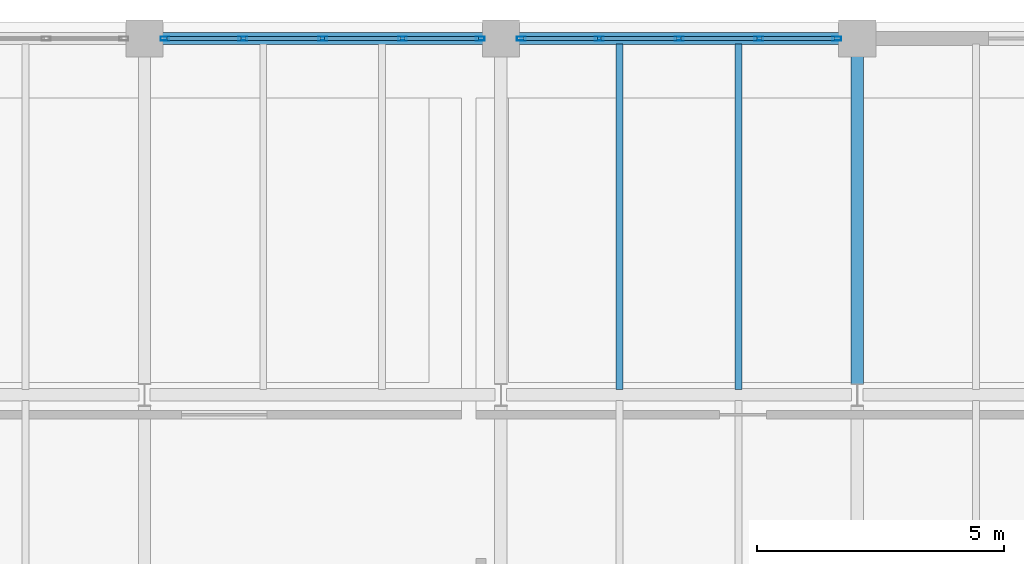
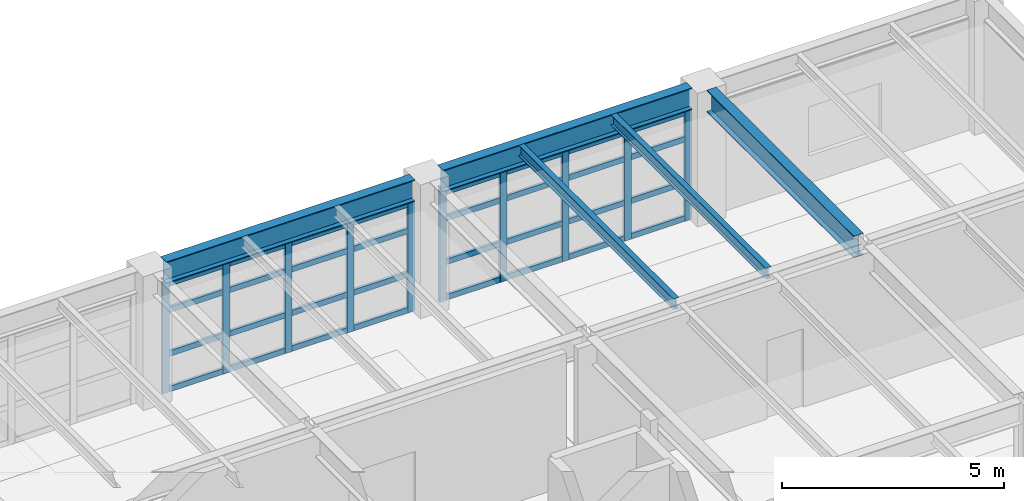
# One storey, part 11 of 24: 42 members, 5 beams, 2 elements without a shape of their own.
"""IFC4 building model written with IfcOpenShell, lengths in metres."""

from ifc_helpers import new_model, si_unit, direction, frame, origin, origin_2d, place, context, subcontext, project, spatial, hollow_rectangle, i_section, extrude, material, layer, layer_set, material_profile, profile_set, type_object, element, aggregate, save


model = new_model("IFC4")

# Units and contexts
model_context = context("Model", 3, precision=1e-05, world=origin(), true_north=direction((0.0, 1.0)))
body_context = subcontext(model_context, "Body", "Model", "MODEL_VIEW")
ifc_project = project(units=[si_unit("LENGTHUNIT", "METRE"), si_unit("AREAUNIT", "SQUARE_METRE"), si_unit("VOLUMEUNIT", "CUBIC_METRE"), si_unit("PLANEANGLEUNIT", "RADIAN"), si_unit("MASSUNIT", "GRAM", prefix="KILO")], contexts=[model_context])

# Site, building, storey
site_placement = place(None, origin())
site = spatial("IfcSite", under=ifc_project, at=site_placement, CompositionType="ELEMENT")
building_placement = place(site_placement, origin())
building = spatial("IfcBuilding", under=site, at=building_placement, Name="Kandorven Conservatory and Botanical Research Centre", CompositionType="ELEMENT")
storey_placement = place(building_placement, frame((0.0, 0.0, 21.0)))
storey = spatial("IfcBuildingStorey", under=building, at=storey_placement, Name="L05", CompositionType="ELEMENT", Elevation=21.0)

# Beams
ifc_material_1 = material(Name="Steel S355 (IS 2062 E350)", Category="steel")
ifc_material_profile_1 = material_profile(ifc_material_1, i_section(OverallWidth=0.25, OverallDepth=0.60009765625, WebThickness=0.01171875, FlangeThickness=0.023681640625, at=origin_2d()))
ifc_profile_set_1 = profile_set([ifc_material_profile_1], Name="Steel S355 (IS 2062 E350)")
beam_type_1 = type_object("IfcBeamType", Name="Beam_FG-01", PredefinedType="USERDEFINED", material=ifc_profile_set_1)
beam_1_placement = place(storey_placement, frame((20.764892578125, 34.800048828125, 3.3701171875), z_axis=(1.0, 0.0, 0.0), x_axis=(0.0, 1.0, 0.0)))
element("IfcBeam", 1, at=beam_1_placement, inside=storey, type_object=beam_type_1, Name="Primary girder FG-01 TWR L05", ObjectType="GIRDER", PredefinedType="USERDEFINED", context=body_context, shape_type="SweptSolid", body=[
    extrude(i_section(OverallWidth=0.25, OverallDepth=0.60009765625, WebThickness=0.01171875, FlangeThickness=0.023681640625, at=origin_2d()), origin(), (0.0, 0.0, 1.0), 6.47021484375),
])
beam_2_placement = place(storey_placement, frame((27.965087890625, 34.800048828125, 3.3701171875), z_axis=(1.0, 0.0, 0.0), x_axis=(0.0, 1.0, 0.0)))
element("IfcBeam", 2, at=beam_2_placement, inside=storey, type_object=beam_type_1, Name="Primary girder FG-01 TWR L05", ObjectType="GIRDER", PredefinedType="USERDEFINED", context=body_context, shape_type="SweptSolid", body=[
    extrude(i_section(OverallWidth=0.25, OverallDepth=0.60009765625, WebThickness=0.01171875, FlangeThickness=0.023681640625, at=origin_2d()), origin(), (0.0, 0.0, 1.0), 6.469970703125),
])
beam_3_placement = place(storey_placement, frame((34.800048828125, 27.81494140625, 3.3701171875), z_axis=(0.0, 1.0, 0.0), x_axis=(-1.0, 0.0, 0.0)))
element("IfcBeam", 3, at=beam_3_placement, inside=storey, type_object=beam_type_1, Name="Primary girder FG-01 TWR L05", ObjectType="GIRDER", PredefinedType="USERDEFINED", context=body_context, shape_type="SweptSolid", body=[
    extrude(i_section(OverallWidth=0.25, OverallDepth=0.60009765625, WebThickness=0.01171875, FlangeThickness=0.023681640625, at=origin_2d()), origin(), (0.0, 0.0, 1.0), 6.6201171875),
])
ifc_material_2 = material(Name="Steel S355 (IS 2062 E350)", Category="steel")
ifc_material_profile_2 = material_profile(ifc_material_2, i_section(OverallWidth=0.139892578125, OverallDepth=0.300048828125, WebThickness=0.0078125, FlangeThickness=0.01318359375, at=origin_2d()))
ifc_profile_set_2 = profile_set([ifc_material_profile_2], Name="Steel S355 (IS 2062 E350)")
beam_type_2 = type_object("IfcBeamType", Name="Beam_SB-07", PredefinedType="BEAM", material=ifc_profile_set_2)
for number, where, z_axis, x_axis, name in (
    (4, (30.0, 27.7099609375, 3.52001953125), (0.0, 1.0, 0.0), (-1.0, 0.0, 0.0), "Composite secondary beam SB-07 TWR L05"),
    (5, (32.39990234375, 27.7099609375, 3.52001953125), (0.0, 1.0, 0.0), (-1.0, 0.0, 0.0), "Composite secondary beam SB-07 TWR L05"),
):
    element("IfcBeam", number, at=place(storey_placement, frame(where, z_axis=z_axis, x_axis=x_axis)), inside=storey, type_object=beam_type_2, Name=name, PredefinedType="BEAM", context=body_context, shape_type="SweptSolid", body=[
        extrude(i_section(OverallWidth=0.139892578125, OverallDepth=0.300048828125, WebThickness=0.0078125, FlangeThickness=0.01318359375, at=origin_2d()), origin(), (0.0, 0.0, 1.0), 6.97998046875),
    ])

# Curtain wall, members
ifc_material_3 = material(Name="Bronze anodised thermally broken aluminium", Category="aluminium")
ifc_layer = layer(ifc_material_3, 0.179931640625)
ifc_layer_set = layer_set([ifc_layer], Name="Bronze anodised thermally broken aluminium")
curtain_wall_type = type_object("IfcCurtainWallType", Name="CW_Unitised", PredefinedType="USERDEFINED", material=ifc_layer_set)
curtain_wall_1_placement = place(storey_placement, origin())
curtain_wall_1 = element("IfcCurtainWall", 6, at=curtain_wall_1_placement, inside=storey, type_object=curtain_wall_type, Name="Tower laboratory curtain wall CW-TWR-N-L05-3", ObjectType="UNITISED GLAZING", PredefinedType="USERDEFINED")
ifc_material_4 = material(Name="Bronze anodised thermally broken aluminium", Category="aluminium")
ifc_material_profile_3 = material_profile(ifc_material_4, hollow_rectangle(XDim=0.080078125, YDim=0.179931640625, WallThickness=0.006103515625, at=origin_2d()))
ifc_profile_set_3 = profile_set([ifc_material_profile_3], Name="Bronze anodised thermally broken aluminium")
member_type_1 = type_object("IfcMemberType", Name="CW_Mullion", PredefinedType="MULLION", material=ifc_profile_set_3)
member_1_placement = place(storey_placement, frame((20.81494140625, 34.800048828125, 0.0), z_axis=(0.0, 0.0, 1.0), x_axis=(0.0, 1.0, 0.0)))
member_1 = element("IfcMember", 7, at=member_1_placement, type_object=member_type_1, Name="CW-01 mullion 1", PredefinedType="MULLION", context=body_context, shape_type="SweptSolid", body=[
    extrude(hollow_rectangle(XDim=0.080078125, YDim=0.179931640625, WallThickness=0.006103515625, at=origin_2d()), origin(), (0.0, 0.0, 1.0), 3.050048828125),
])
member_2_placement = place(storey_placement, frame((22.387451171875, 34.800048828125, 0.0), z_axis=(0.0, 0.0, 1.0), x_axis=(0.0, 1.0, 0.0)))
member_2 = element("IfcMember", 8, at=member_2_placement, type_object=member_type_1, Name="CW-01 mullion 2", PredefinedType="MULLION", context=body_context, shape_type="SweptSolid", body=[
    extrude(hollow_rectangle(XDim=0.080078125, YDim=0.179931640625, WallThickness=0.006103515625, at=origin_2d()), origin(), (0.0, 0.0, 1.0), 3.050048828125),
])
member_3_placement = place(storey_placement, frame((24.0, 34.800048828125, 0.0), z_axis=(0.0, 0.0, 1.0), x_axis=(0.0, 1.0, 0.0)))
member_3 = element("IfcMember", 9, at=member_3_placement, type_object=member_type_1, Name="CW-01 mullion 3", PredefinedType="MULLION", context=body_context, shape_type="SweptSolid", body=[
    extrude(hollow_rectangle(XDim=0.080078125, YDim=0.179931640625, WallThickness=0.006103515625, at=origin_2d()), origin(), (0.0, 0.0, 1.0), 3.050048828125),
])
member_4_placement = place(storey_placement, frame((25.612548828125, 34.800048828125, 0.0), z_axis=(0.0, 0.0, 1.0), x_axis=(0.0, 1.0, 0.0)))
member_4 = element("IfcMember", 10, at=member_4_placement, type_object=member_type_1, Name="CW-01 mullion 4", PredefinedType="MULLION", context=body_context, shape_type="SweptSolid", body=[
    extrude(hollow_rectangle(XDim=0.080078125, YDim=0.179931640625, WallThickness=0.006103515625, at=origin_2d()), origin(), (0.0, 0.0, 1.0), 3.050048828125),
])
member_5_placement = place(storey_placement, frame((27.18505859375, 34.800048828125, 0.0), z_axis=(0.0, 0.0, 1.0), x_axis=(0.0, 1.0, 0.0)))
member_5 = element("IfcMember", 11, at=member_5_placement, type_object=member_type_1, Name="CW-01 mullion 5", PredefinedType="MULLION", context=body_context, shape_type="SweptSolid", body=[
    extrude(hollow_rectangle(XDim=0.080078125, YDim=0.179931640625, WallThickness=0.006103515625, at=origin_2d()), origin(), (0.0, 0.0, 1.0), 3.050048828125),
])

curtain_wall_2_placement = place(storey_placement, origin())
curtain_wall_2 = element("IfcCurtainWall", 12, at=curtain_wall_2_placement, inside=storey, type_object=curtain_wall_type, Name="Tower laboratory curtain wall CW-TWR-N-L05-4", ObjectType="UNITISED GLAZING", PredefinedType="USERDEFINED")
member_6_placement = place(storey_placement, frame((28.014892578125, 34.800048828125, 0.0), z_axis=(0.0, 0.0, 1.0), x_axis=(0.0, 1.0, 0.0)))
member_6 = element("IfcMember", 13, at=member_6_placement, type_object=member_type_1, Name="CW-01 mullion 1", PredefinedType="MULLION", context=body_context, shape_type="SweptSolid", body=[
    extrude(hollow_rectangle(XDim=0.080078125, YDim=0.179931640625, WallThickness=0.006103515625, at=origin_2d()), origin(), (0.0, 0.0, 1.0), 3.050048828125),
])
member_7_placement = place(storey_placement, frame((29.58740234375, 34.800048828125, 0.0), z_axis=(0.0, 0.0, 1.0), x_axis=(0.0, 1.0, 0.0)))
member_7 = element("IfcMember", 14, at=member_7_placement, type_object=member_type_1, Name="CW-01 mullion 2", PredefinedType="MULLION", context=body_context, shape_type="SweptSolid", body=[
    extrude(hollow_rectangle(XDim=0.080078125, YDim=0.179931640625, WallThickness=0.006103515625, at=origin_2d()), origin(), (0.0, 0.0, 1.0), 3.050048828125),
])
member_8_placement = place(storey_placement, frame((31.199951171875, 34.800048828125, 0.0), z_axis=(0.0, 0.0, 1.0), x_axis=(0.0, 1.0, 0.0)))
member_8 = element("IfcMember", 15, at=member_8_placement, type_object=member_type_1, Name="CW-01 mullion 3", PredefinedType="MULLION", context=body_context, shape_type="SweptSolid", body=[
    extrude(hollow_rectangle(XDim=0.080078125, YDim=0.179931640625, WallThickness=0.006103515625, at=origin_2d()), origin(), (0.0, 0.0, 1.0), 3.050048828125),
])
member_9_placement = place(storey_placement, frame((32.8125, 34.800048828125, 0.0), z_axis=(0.0, 0.0, 1.0), x_axis=(0.0, 1.0, 0.0)))
member_9 = element("IfcMember", 16, at=member_9_placement, type_object=member_type_1, Name="CW-01 mullion 4", PredefinedType="MULLION", context=body_context, shape_type="SweptSolid", body=[
    extrude(hollow_rectangle(XDim=0.080078125, YDim=0.179931640625, WallThickness=0.006103515625, at=origin_2d()), origin(), (0.0, 0.0, 1.0), 3.050048828125),
])
member_10_placement = place(storey_placement, frame((34.385009765625, 34.800048828125, 0.0), z_axis=(0.0, 0.0, 1.0), x_axis=(0.0, 1.0, 0.0)))
member_10 = element("IfcMember", 17, at=member_10_placement, type_object=member_type_1, Name="CW-01 mullion 5", PredefinedType="MULLION", context=body_context, shape_type="SweptSolid", body=[
    extrude(hollow_rectangle(XDim=0.080078125, YDim=0.179931640625, WallThickness=0.006103515625, at=origin_2d()), origin(), (0.0, 0.0, 1.0), 3.050048828125),
])

# Member
ifc_material_5 = material(Name="Bronze anodised thermally broken aluminium", Category="aluminium")
ifc_material_profile_4 = material_profile(ifc_material_5, hollow_rectangle(XDim=0.074951171875, YDim=0.14990234375, WallThickness=0.006103515625, at=origin_2d()))
ifc_profile_set_4 = profile_set([ifc_material_profile_4], Name="Bronze anodised thermally broken aluminium")
member_type_2 = type_object("IfcMemberType", Name="CW_Transom", PredefinedType="USERDEFINED", material=ifc_profile_set_4)
member_11_placement = place(storey_placement, frame((20.85498046875, 34.800048828125, 0.074951171875), z_axis=(1.0, 0.0, 0.0), x_axis=(0.0, 1.0, 0.0)))
member_11 = element("IfcMember", 18, at=member_11_placement, type_object=member_type_2, Name="CW-01 transom 1.1", ObjectType="TRANSOM", PredefinedType="USERDEFINED", context=body_context, shape_type="SweptSolid", body=[
    extrude(hollow_rectangle(XDim=0.074951171875, YDim=0.14990234375, WallThickness=0.006103515625, at=origin_2d()), origin(), (0.0, 0.0, 1.0), 1.492431640625),
])

member_12_placement = place(storey_placement, frame((20.85498046875, 34.800048828125, 1.050048828125), z_axis=(1.0, 0.0, 0.0), x_axis=(0.0, 1.0, 0.0)))
member_12 = element("IfcMember", 19, at=member_12_placement, type_object=member_type_2, Name="CW-01 transom 1.2", ObjectType="TRANSOM", PredefinedType="USERDEFINED", context=body_context, shape_type="SweptSolid", body=[
    extrude(hollow_rectangle(XDim=0.074951171875, YDim=0.14990234375, WallThickness=0.006103515625, at=origin_2d()), origin(), (0.0, 0.0, 1.0), 1.492431640625),
])

member_13_placement = place(storey_placement, frame((20.85498046875, 34.800048828125, 2.25), z_axis=(1.0, 0.0, 0.0), x_axis=(0.0, 1.0, 0.0)))
member_13 = element("IfcMember", 20, at=member_13_placement, type_object=member_type_2, Name="CW-01 transom 1.3", ObjectType="TRANSOM", PredefinedType="USERDEFINED", context=body_context, shape_type="SweptSolid", body=[
    extrude(hollow_rectangle(XDim=0.074951171875, YDim=0.14990234375, WallThickness=0.006103515625, at=origin_2d()), origin(), (0.0, 0.0, 1.0), 1.492431640625),
])

member_14_placement = place(storey_placement, frame((20.85498046875, 34.800048828125, 2.97509765625), z_axis=(1.0, 0.0, 0.0), x_axis=(0.0, 1.0, 0.0)))
member_14 = element("IfcMember", 21, at=member_14_placement, type_object=member_type_2, Name="CW-01 transom 1.4", ObjectType="TRANSOM", PredefinedType="USERDEFINED", context=body_context, shape_type="SweptSolid", body=[
    extrude(hollow_rectangle(XDim=0.074951171875, YDim=0.14990234375, WallThickness=0.006103515625, at=origin_2d()), origin(), (0.0, 0.0, 1.0), 1.492431640625),
])

member_15_placement = place(storey_placement, frame((22.427490234375, 34.800048828125, 0.074951171875), z_axis=(1.0, 0.0, 0.0), x_axis=(0.0, 1.0, 0.0)))
member_15 = element("IfcMember", 22, at=member_15_placement, type_object=member_type_2, Name="CW-01 transom 2.1", ObjectType="TRANSOM", PredefinedType="USERDEFINED", context=body_context, shape_type="SweptSolid", body=[
    extrude(hollow_rectangle(XDim=0.074951171875, YDim=0.14990234375, WallThickness=0.006103515625, at=origin_2d()), origin(), (0.0, 0.0, 1.0), 1.532470703125),
])

member_16_placement = place(storey_placement, frame((22.427490234375, 34.800048828125, 1.050048828125), z_axis=(1.0, 0.0, 0.0), x_axis=(0.0, 1.0, 0.0)))
member_16 = element("IfcMember", 23, at=member_16_placement, type_object=member_type_2, Name="CW-01 transom 2.2", ObjectType="TRANSOM", PredefinedType="USERDEFINED", context=body_context, shape_type="SweptSolid", body=[
    extrude(hollow_rectangle(XDim=0.074951171875, YDim=0.14990234375, WallThickness=0.006103515625, at=origin_2d()), origin(), (0.0, 0.0, 1.0), 1.532470703125),
])

member_17_placement = place(storey_placement, frame((22.427490234375, 34.800048828125, 2.25), z_axis=(1.0, 0.0, 0.0), x_axis=(0.0, 1.0, 0.0)))
member_17 = element("IfcMember", 24, at=member_17_placement, type_object=member_type_2, Name="CW-01 transom 2.3", ObjectType="TRANSOM", PredefinedType="USERDEFINED", context=body_context, shape_type="SweptSolid", body=[
    extrude(hollow_rectangle(XDim=0.074951171875, YDim=0.14990234375, WallThickness=0.006103515625, at=origin_2d()), origin(), (0.0, 0.0, 1.0), 1.532470703125),
])

member_18_placement = place(storey_placement, frame((22.427490234375, 34.800048828125, 2.97509765625), z_axis=(1.0, 0.0, 0.0), x_axis=(0.0, 1.0, 0.0)))
member_18 = element("IfcMember", 25, at=member_18_placement, type_object=member_type_2, Name="CW-01 transom 2.4", ObjectType="TRANSOM", PredefinedType="USERDEFINED", context=body_context, shape_type="SweptSolid", body=[
    extrude(hollow_rectangle(XDim=0.074951171875, YDim=0.14990234375, WallThickness=0.006103515625, at=origin_2d()), origin(), (0.0, 0.0, 1.0), 1.532470703125),
])

member_19_placement = place(storey_placement, frame((24.0400390625, 34.800048828125, 0.074951171875), z_axis=(1.0, 0.0, 0.0), x_axis=(0.0, 1.0, 0.0)))
member_19 = element("IfcMember", 26, at=member_19_placement, type_object=member_type_2, Name="CW-01 transom 3.1", ObjectType="TRANSOM", PredefinedType="USERDEFINED", context=body_context, shape_type="SweptSolid", body=[
    extrude(hollow_rectangle(XDim=0.074951171875, YDim=0.14990234375, WallThickness=0.006103515625, at=origin_2d()), origin(), (0.0, 0.0, 1.0), 1.532470703125),
])

member_20_placement = place(storey_placement, frame((24.0400390625, 34.800048828125, 1.050048828125), z_axis=(1.0, 0.0, 0.0), x_axis=(0.0, 1.0, 0.0)))
member_20 = element("IfcMember", 27, at=member_20_placement, type_object=member_type_2, Name="CW-01 transom 3.2", ObjectType="TRANSOM", PredefinedType="USERDEFINED", context=body_context, shape_type="SweptSolid", body=[
    extrude(hollow_rectangle(XDim=0.074951171875, YDim=0.14990234375, WallThickness=0.006103515625, at=origin_2d()), origin(), (0.0, 0.0, 1.0), 1.532470703125),
])

member_21_placement = place(storey_placement, frame((24.0400390625, 34.800048828125, 2.25), z_axis=(1.0, 0.0, 0.0), x_axis=(0.0, 1.0, 0.0)))
member_21 = element("IfcMember", 28, at=member_21_placement, type_object=member_type_2, Name="CW-01 transom 3.3", ObjectType="TRANSOM", PredefinedType="USERDEFINED", context=body_context, shape_type="SweptSolid", body=[
    extrude(hollow_rectangle(XDim=0.074951171875, YDim=0.14990234375, WallThickness=0.006103515625, at=origin_2d()), origin(), (0.0, 0.0, 1.0), 1.532470703125),
])

member_22_placement = place(storey_placement, frame((24.0400390625, 34.800048828125, 2.97509765625), z_axis=(1.0, 0.0, 0.0), x_axis=(0.0, 1.0, 0.0)))
member_22 = element("IfcMember", 29, at=member_22_placement, type_object=member_type_2, Name="CW-01 transom 3.4", ObjectType="TRANSOM", PredefinedType="USERDEFINED", context=body_context, shape_type="SweptSolid", body=[
    extrude(hollow_rectangle(XDim=0.074951171875, YDim=0.14990234375, WallThickness=0.006103515625, at=origin_2d()), origin(), (0.0, 0.0, 1.0), 1.532470703125),
])

member_23_placement = place(storey_placement, frame((25.652587890625, 34.800048828125, 0.074951171875), z_axis=(1.0, 0.0, 0.0), x_axis=(0.0, 1.0, 0.0)))
member_23 = element("IfcMember", 30, at=member_23_placement, type_object=member_type_2, Name="CW-01 transom 4.1", ObjectType="TRANSOM", PredefinedType="USERDEFINED", context=body_context, shape_type="SweptSolid", body=[
    extrude(hollow_rectangle(XDim=0.074951171875, YDim=0.14990234375, WallThickness=0.006103515625, at=origin_2d()), origin(), (0.0, 0.0, 1.0), 1.492431640625),
])

member_24_placement = place(storey_placement, frame((25.652587890625, 34.800048828125, 1.050048828125), z_axis=(1.0, 0.0, 0.0), x_axis=(0.0, 1.0, 0.0)))
member_24 = element("IfcMember", 31, at=member_24_placement, type_object=member_type_2, Name="CW-01 transom 4.2", ObjectType="TRANSOM", PredefinedType="USERDEFINED", context=body_context, shape_type="SweptSolid", body=[
    extrude(hollow_rectangle(XDim=0.074951171875, YDim=0.14990234375, WallThickness=0.006103515625, at=origin_2d()), origin(), (0.0, 0.0, 1.0), 1.492431640625),
])

member_25_placement = place(storey_placement, frame((25.652587890625, 34.800048828125, 2.25), z_axis=(1.0, 0.0, 0.0), x_axis=(0.0, 1.0, 0.0)))
member_25 = element("IfcMember", 32, at=member_25_placement, type_object=member_type_2, Name="CW-01 transom 4.3", ObjectType="TRANSOM", PredefinedType="USERDEFINED", context=body_context, shape_type="SweptSolid", body=[
    extrude(hollow_rectangle(XDim=0.074951171875, YDim=0.14990234375, WallThickness=0.006103515625, at=origin_2d()), origin(), (0.0, 0.0, 1.0), 1.492431640625),
])

member_26_placement = place(storey_placement, frame((25.652587890625, 34.800048828125, 2.97509765625), z_axis=(1.0, 0.0, 0.0), x_axis=(0.0, 1.0, 0.0)))
member_26 = element("IfcMember", 33, at=member_26_placement, type_object=member_type_2, Name="CW-01 transom 4.4", ObjectType="TRANSOM", PredefinedType="USERDEFINED", context=body_context, shape_type="SweptSolid", body=[
    extrude(hollow_rectangle(XDim=0.074951171875, YDim=0.14990234375, WallThickness=0.006103515625, at=origin_2d()), origin(), (0.0, 0.0, 1.0), 1.492431640625),
])

aggregate(curtain_wall_1, [member_1, member_2, member_3, member_4, member_5, member_11, member_12, member_13, member_14, member_15, member_16, member_17, member_18, member_19, member_20, member_21, member_22, member_23, member_24, member_25, member_26])

member_27_placement = place(storey_placement, frame((28.054931640625, 34.800048828125, 0.074951171875), z_axis=(1.0, 0.0, 0.0), x_axis=(0.0, 1.0, 0.0)))
member_27 = element("IfcMember", 34, at=member_27_placement, type_object=member_type_2, Name="CW-01 transom 1.1", ObjectType="TRANSOM", PredefinedType="USERDEFINED", context=body_context, shape_type="SweptSolid", body=[
    extrude(hollow_rectangle(XDim=0.074951171875, YDim=0.14990234375, WallThickness=0.006103515625, at=origin_2d()), origin(), (0.0, 0.0, 1.0), 1.49267578125),
])

member_28_placement = place(storey_placement, frame((28.054931640625, 34.800048828125, 1.050048828125), z_axis=(1.0, 0.0, 0.0), x_axis=(0.0, 1.0, 0.0)))
member_28 = element("IfcMember", 35, at=member_28_placement, type_object=member_type_2, Name="CW-01 transom 1.2", ObjectType="TRANSOM", PredefinedType="USERDEFINED", context=body_context, shape_type="SweptSolid", body=[
    extrude(hollow_rectangle(XDim=0.074951171875, YDim=0.14990234375, WallThickness=0.006103515625, at=origin_2d()), origin(), (0.0, 0.0, 1.0), 1.49267578125),
])

member_29_placement = place(storey_placement, frame((28.054931640625, 34.800048828125, 2.25), z_axis=(1.0, 0.0, 0.0), x_axis=(0.0, 1.0, 0.0)))
member_29 = element("IfcMember", 36, at=member_29_placement, type_object=member_type_2, Name="CW-01 transom 1.3", ObjectType="TRANSOM", PredefinedType="USERDEFINED", context=body_context, shape_type="SweptSolid", body=[
    extrude(hollow_rectangle(XDim=0.074951171875, YDim=0.14990234375, WallThickness=0.006103515625, at=origin_2d()), origin(), (0.0, 0.0, 1.0), 1.49267578125),
])

member_30_placement = place(storey_placement, frame((28.054931640625, 34.800048828125, 2.97509765625), z_axis=(1.0, 0.0, 0.0), x_axis=(0.0, 1.0, 0.0)))
member_30 = element("IfcMember", 37, at=member_30_placement, type_object=member_type_2, Name="CW-01 transom 1.4", ObjectType="TRANSOM", PredefinedType="USERDEFINED", context=body_context, shape_type="SweptSolid", body=[
    extrude(hollow_rectangle(XDim=0.074951171875, YDim=0.14990234375, WallThickness=0.006103515625, at=origin_2d()), origin(), (0.0, 0.0, 1.0), 1.49267578125),
])

member_31_placement = place(storey_placement, frame((29.62744140625, 34.800048828125, 0.074951171875), z_axis=(1.0, 0.0, 0.0), x_axis=(0.0, 1.0, 0.0)))
member_31 = element("IfcMember", 38, at=member_31_placement, type_object=member_type_2, Name="CW-01 transom 2.1", ObjectType="TRANSOM", PredefinedType="USERDEFINED", context=body_context, shape_type="SweptSolid", body=[
    extrude(hollow_rectangle(XDim=0.074951171875, YDim=0.14990234375, WallThickness=0.006103515625, at=origin_2d()), origin(), (0.0, 0.0, 1.0), 1.532470703125),
])

member_32_placement = place(storey_placement, frame((29.62744140625, 34.800048828125, 1.050048828125), z_axis=(1.0, 0.0, 0.0), x_axis=(0.0, 1.0, 0.0)))
member_32 = element("IfcMember", 39, at=member_32_placement, type_object=member_type_2, Name="CW-01 transom 2.2", ObjectType="TRANSOM", PredefinedType="USERDEFINED", context=body_context, shape_type="SweptSolid", body=[
    extrude(hollow_rectangle(XDim=0.074951171875, YDim=0.14990234375, WallThickness=0.006103515625, at=origin_2d()), origin(), (0.0, 0.0, 1.0), 1.532470703125),
])

member_33_placement = place(storey_placement, frame((29.62744140625, 34.800048828125, 2.25), z_axis=(1.0, 0.0, 0.0), x_axis=(0.0, 1.0, 0.0)))
member_33 = element("IfcMember", 40, at=member_33_placement, type_object=member_type_2, Name="CW-01 transom 2.3", ObjectType="TRANSOM", PredefinedType="USERDEFINED", context=body_context, shape_type="SweptSolid", body=[
    extrude(hollow_rectangle(XDim=0.074951171875, YDim=0.14990234375, WallThickness=0.006103515625, at=origin_2d()), origin(), (0.0, 0.0, 1.0), 1.532470703125),
])

member_34_placement = place(storey_placement, frame((29.62744140625, 34.800048828125, 2.97509765625), z_axis=(1.0, 0.0, 0.0), x_axis=(0.0, 1.0, 0.0)))
member_34 = element("IfcMember", 41, at=member_34_placement, type_object=member_type_2, Name="CW-01 transom 2.4", ObjectType="TRANSOM", PredefinedType="USERDEFINED", context=body_context, shape_type="SweptSolid", body=[
    extrude(hollow_rectangle(XDim=0.074951171875, YDim=0.14990234375, WallThickness=0.006103515625, at=origin_2d()), origin(), (0.0, 0.0, 1.0), 1.532470703125),
])

member_35_placement = place(storey_placement, frame((31.239990234375, 34.800048828125, 0.074951171875), z_axis=(1.0, 0.0, 0.0), x_axis=(0.0, 1.0, 0.0)))
member_35 = element("IfcMember", 42, at=member_35_placement, type_object=member_type_2, Name="CW-01 transom 3.1", ObjectType="TRANSOM", PredefinedType="USERDEFINED", context=body_context, shape_type="SweptSolid", body=[
    extrude(hollow_rectangle(XDim=0.074951171875, YDim=0.14990234375, WallThickness=0.006103515625, at=origin_2d()), origin(), (0.0, 0.0, 1.0), 1.532470703125),
])

member_36_placement = place(storey_placement, frame((31.239990234375, 34.800048828125, 1.050048828125), z_axis=(1.0, 0.0, 0.0), x_axis=(0.0, 1.0, 0.0)))
member_36 = element("IfcMember", 43, at=member_36_placement, type_object=member_type_2, Name="CW-01 transom 3.2", ObjectType="TRANSOM", PredefinedType="USERDEFINED", context=body_context, shape_type="SweptSolid", body=[
    extrude(hollow_rectangle(XDim=0.074951171875, YDim=0.14990234375, WallThickness=0.006103515625, at=origin_2d()), origin(), (0.0, 0.0, 1.0), 1.532470703125),
])

member_37_placement = place(storey_placement, frame((31.239990234375, 34.800048828125, 2.25), z_axis=(1.0, 0.0, 0.0), x_axis=(0.0, 1.0, 0.0)))
member_37 = element("IfcMember", 44, at=member_37_placement, type_object=member_type_2, Name="CW-01 transom 3.3", ObjectType="TRANSOM", PredefinedType="USERDEFINED", context=body_context, shape_type="SweptSolid", body=[
    extrude(hollow_rectangle(XDim=0.074951171875, YDim=0.14990234375, WallThickness=0.006103515625, at=origin_2d()), origin(), (0.0, 0.0, 1.0), 1.532470703125),
])

member_38_placement = place(storey_placement, frame((31.239990234375, 34.800048828125, 2.97509765625), z_axis=(1.0, 0.0, 0.0), x_axis=(0.0, 1.0, 0.0)))
member_38 = element("IfcMember", 45, at=member_38_placement, type_object=member_type_2, Name="CW-01 transom 3.4", ObjectType="TRANSOM", PredefinedType="USERDEFINED", context=body_context, shape_type="SweptSolid", body=[
    extrude(hollow_rectangle(XDim=0.074951171875, YDim=0.14990234375, WallThickness=0.006103515625, at=origin_2d()), origin(), (0.0, 0.0, 1.0), 1.532470703125),
])

member_39_placement = place(storey_placement, frame((32.8525390625, 34.800048828125, 0.074951171875), z_axis=(1.0, 0.0, 0.0), x_axis=(0.0, 1.0, 0.0)))
member_39 = element("IfcMember", 46, at=member_39_placement, type_object=member_type_2, Name="CW-01 transom 4.1", ObjectType="TRANSOM", PredefinedType="USERDEFINED", context=body_context, shape_type="SweptSolid", body=[
    extrude(hollow_rectangle(XDim=0.074951171875, YDim=0.14990234375, WallThickness=0.006103515625, at=origin_2d()), origin(), (0.0, 0.0, 1.0), 1.492431640625),
])

member_40_placement = place(storey_placement, frame((32.8525390625, 34.800048828125, 1.050048828125), z_axis=(1.0, 0.0, 0.0), x_axis=(0.0, 1.0, 0.0)))
member_40 = element("IfcMember", 47, at=member_40_placement, type_object=member_type_2, Name="CW-01 transom 4.2", ObjectType="TRANSOM", PredefinedType="USERDEFINED", context=body_context, shape_type="SweptSolid", body=[
    extrude(hollow_rectangle(XDim=0.074951171875, YDim=0.14990234375, WallThickness=0.006103515625, at=origin_2d()), origin(), (0.0, 0.0, 1.0), 1.492431640625),
])

member_41_placement = place(storey_placement, frame((32.8525390625, 34.800048828125, 2.25), z_axis=(1.0, 0.0, 0.0), x_axis=(0.0, 1.0, 0.0)))
member_41 = element("IfcMember", 48, at=member_41_placement, type_object=member_type_2, Name="CW-01 transom 4.3", ObjectType="TRANSOM", PredefinedType="USERDEFINED", context=body_context, shape_type="SweptSolid", body=[
    extrude(hollow_rectangle(XDim=0.074951171875, YDim=0.14990234375, WallThickness=0.006103515625, at=origin_2d()), origin(), (0.0, 0.0, 1.0), 1.492431640625),
])

member_42_placement = place(storey_placement, frame((32.8525390625, 34.800048828125, 2.97509765625), z_axis=(1.0, 0.0, 0.0), x_axis=(0.0, 1.0, 0.0)))
member_42 = element("IfcMember", 49, at=member_42_placement, type_object=member_type_2, Name="CW-01 transom 4.4", ObjectType="TRANSOM", PredefinedType="USERDEFINED", context=body_context, shape_type="SweptSolid", body=[
    extrude(hollow_rectangle(XDim=0.074951171875, YDim=0.14990234375, WallThickness=0.006103515625, at=origin_2d()), origin(), (0.0, 0.0, 1.0), 1.492431640625),
])

aggregate(curtain_wall_2, [member_6, member_7, member_8, member_9, member_10, member_27, member_28, member_29, member_30, member_31, member_32, member_33, member_34, member_35, member_36, member_37, member_38, member_39, member_40, member_41, member_42])

save(model, "model.ifc")
